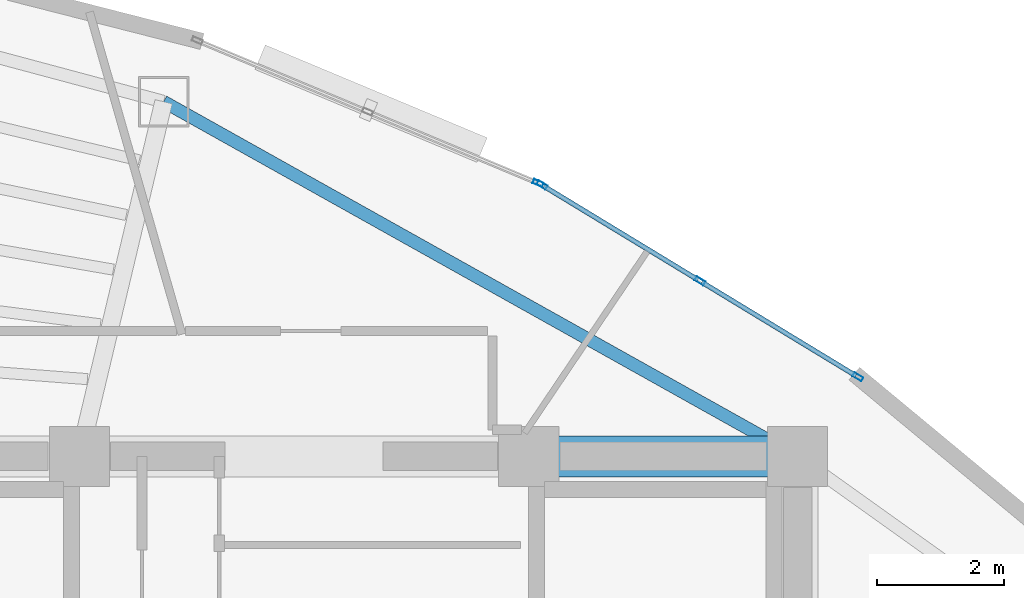
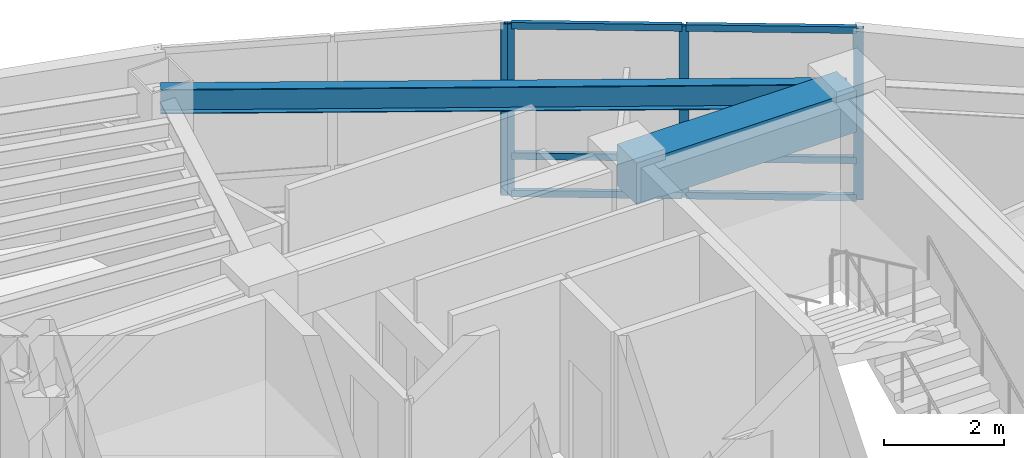
# One storey, part 10 of 15: 10 members, 2 beams, 2 elements without a shape of their own.
"""IFC4 building model written with IfcOpenShell, lengths in metres."""

from ifc_helpers import new_model, si_unit, direction, frame, origin, origin_2d, place, context, subcontext, project, spatial, rectangle, hollow_rectangle, i_section, extrude, material, layer, layer_set, material_profile, profile_set, type_object, element, aggregate, save


model = new_model("IFC4")

# Units and contexts
model_context = context("Model", 3, precision=1e-05, world=origin(), true_north=direction((0.0, 1.0)))
body_context = subcontext(model_context, "Body", "Model", "MODEL_VIEW")
ifc_project = project(units=[si_unit("LENGTHUNIT", "METRE"), si_unit("AREAUNIT", "SQUARE_METRE"), si_unit("VOLUMEUNIT", "CUBIC_METRE"), si_unit("PLANEANGLEUNIT", "RADIAN"), si_unit("MASSUNIT", "GRAM", prefix="KILO")], contexts=[model_context])

# Site, building, storey
site_placement = place(None, origin())
site = spatial("IfcSite", under=ifc_project, at=site_placement, CompositionType="ELEMENT")
building_placement = place(site_placement, origin())
building = spatial("IfcBuilding", under=site, at=building_placement, Name="Menara Vayukalpa", CompositionType="ELEMENT")
storey_placement = place(building_placement, frame((0.0, 0.0, 288.06005859375)))
storey = spatial("IfcBuildingStorey", under=building, at=storey_placement, Name="L73", CompositionType="ELEMENT", Elevation=288.06005859375)

# Beams
ifc_material_1 = material(Name="Concrete C60/75", Category="concrete")
ifc_material_profile_1 = material_profile(ifc_material_1, rectangle(XDim=0.64990234375, YDim=0.85009765625, at=origin_2d()), Name="RC 650x850")
ifc_profile_set_1 = profile_set([ifc_material_profile_1], Name="Concrete C60/75")
beam_type_1 = type_object("IfcBeamType", Name="BM-CB1", PredefinedType="BEAM", material=ifc_profile_set_1)
beam_1_placement = place(storey_placement, frame((29.14990234375, 26.800048828125, 3.074951171875), z_axis=(1.0, 0.0, 0.0), x_axis=(0.0, 1.0, 0.0)))
element("IfcBeam", 1, at=beam_1_placement, inside=storey, type_object=beam_type_1, Name="L73 Core Tie Beam CBR6", PredefinedType="BEAM", context=body_context, shape_type="SweptSolid", body=[
    extrude(rectangle(XDim=0.64990234375, YDim=0.85009765625, at=origin_2d()), origin(), (0.0, 0.0, 1.0), 4.25),
])
ifc_material_2 = material(Name="Steel S355", Category="steel")
ifc_material_profile_2 = material_profile(ifc_material_2, i_section(OverallWidth=0.199951171875, OverallDepth=0.5, WebThickness=0.010009765625, FlangeThickness=0.01611328125, at=origin_2d()), Name="WF 500x200x10x16")
ifc_profile_set_2 = profile_set([ifc_material_profile_2], Name="Steel S355")
beam_type_2 = type_object("IfcBeamType", Name="BM-SP3", PredefinedType="SPANDREL", material=ifc_profile_set_2)
beam_2_placement = place(storey_placement, frame((33.39990234375, 26.800048828125, 3.25), z_axis=(-0.87270577288, 0.48824648896, 0.0), x_axis=(-0.48824648896, -0.87270577288, 0.0)))
element("IfcBeam", 2, at=beam_2_placement, inside=storey, type_object=beam_type_2, Name="L73 Perimeter Spandrel Beam SP02", PredefinedType="SPANDREL", context=body_context, shape_type="SweptSolid", body=[
    extrude(i_section(OverallWidth=0.199951171875, OverallDepth=0.5, WebThickness=0.010009765625, FlangeThickness=0.01611328125, at=origin_2d()), origin(), (0.0, 0.0, 1.0), 11.479248046875),
])

# Curtain wall, members
ifc_material_3 = material(Name="Anodised Terracotta Aluminium Alloy 6063-T6", Category="masonry")
ifc_layer = layer(ifc_material_3, 0.1650390625)
ifc_layer_set = layer_set([ifc_layer], Name="Anodised Terracotta Aluminium Alloy 6063-T6")
curtain_wall_type = type_object("IfcCurtainWallType", Name="CW-CW6", PredefinedType="USERDEFINED", material=ifc_layer_set)
curtain_wall_1_placement = place(storey_placement, origin())
curtain_wall_1 = element("IfcCurtainWall", 3, at=curtain_wall_1_placement, inside=storey, type_object=curtain_wall_type, Name="L73 Observation and Executive Curtain Wall CW6 04", ObjectType="UNITISED", PredefinedType="USERDEFINED")
ifc_material_4 = material(Name="Anodised Terracotta Aluminium Alloy 6063-T6", Category="masonry")
ifc_material_profile_3 = material_profile(ifc_material_4, hollow_rectangle(XDim=0.070068359375, YDim=0.1650390625, WallThickness=0.00390625, at=origin_2d()), Name="ALU 70x165x4")
ifc_profile_set_3 = profile_set([ifc_material_profile_3], Name="Anodised Terracotta Aluminium Alloy 6063-T6")
member_type_1 = type_object("IfcMemberType", Name="CWM-CW6", PredefinedType="MULLION", material=ifc_profile_set_3)
member_1_placement = place(storey_placement, frame((34.35009765625, 28.056396484375, 0.0), z_axis=(0.0, 0.0, 1.0), x_axis=(-0.519175574558, -0.854667609532, 0.0)))
member_1 = element("IfcMember", 4, at=member_1_placement, type_object=member_type_1, Name="CW6 mullion 1", PredefinedType="MULLION", context=body_context, shape_type="SweptSolid", body=[
    extrude(hollow_rectangle(XDim=0.070068359375, YDim=0.1650390625, WallThickness=0.00390625, at=origin_2d()), origin(), (0.0, 0.0, 1.0), 3.5),
])
member_2_placement = place(storey_placement, frame((31.85546875, 29.57177734375, 0.0), z_axis=(0.0, 0.0, 1.0), x_axis=(-0.519175574558, -0.854667609532, 0.0)))
member_2 = element("IfcMember", 5, at=member_2_placement, type_object=member_type_1, Name="CW6 mullion 2", PredefinedType="MULLION", context=body_context, shape_type="SweptSolid", body=[
    extrude(hollow_rectangle(XDim=0.070068359375, YDim=0.1650390625, WallThickness=0.00390625, at=origin_2d()), origin(), (0.0, 0.0, 1.0), 3.5),
])
member_3_placement = place(storey_placement, frame((29.36083984375, 31.087158203125, 0.0), z_axis=(0.0, 0.0, 1.0), x_axis=(-0.519175574558, -0.854667609532, 0.0)))
member_3 = element("IfcMember", 6, at=member_3_placement, type_object=member_type_1, Name="CW6 mullion 3", PredefinedType="MULLION", context=body_context, shape_type="SweptSolid", body=[
    extrude(hollow_rectangle(XDim=0.070068359375, YDim=0.1650390625, WallThickness=0.00390625, at=origin_2d()), origin(), (0.0, 0.0, 1.0), 3.5),
])

# Curtain wall, member
curtain_wall_2_placement = place(storey_placement, origin())
curtain_wall_2 = element("IfcCurtainWall", 7, at=curtain_wall_2_placement, inside=storey, type_object=curtain_wall_type, Name="L73 Observation and Executive Curtain Wall CW6 05", ObjectType="UNITISED", PredefinedType="USERDEFINED")
member_4_placement = place(storey_placement, frame((29.298828125, 31.118896484375, 0.0), z_axis=(0.0, 0.0, 1.0), x_axis=(-0.385899911703, -0.922540653927, 0.0)))
member_4 = element("IfcMember", 8, at=member_4_placement, type_object=member_type_1, Name="CW6 mullion 1", PredefinedType="MULLION", context=body_context, shape_type="SweptSolid", body=[
    extrude(hollow_rectangle(XDim=0.070068359375, YDim=0.1650390625, WallThickness=0.00390625, at=origin_2d()), origin(), (0.0, 0.0, 1.0), 3.5),
])
aggregate(curtain_wall_2, [member_4])

# Member
ifc_material_5 = material(Name="Anodised Terracotta Aluminium Alloy 6063-T6", Category="masonry")
ifc_material_profile_4 = material_profile(ifc_material_5, hollow_rectangle(XDim=0.074951171875, YDim=0.135009765625, WallThickness=0.00390625, at=origin_2d()), Name="ALU 75x135x4")
ifc_profile_set_4 = profile_set([ifc_material_profile_4], Name="Anodised Terracotta Aluminium Alloy 6063-T6")
member_type_2 = type_object("IfcMemberType", Name="CWT-CW6", PredefinedType="USERDEFINED", material=ifc_profile_set_4)
member_5_placement = place(storey_placement, frame((34.320068359375, 28.07470703125, 0.037353515625), z_axis=(-0.854674800659, 0.519163736328, 0.0), x_axis=(-0.519163736328, -0.85467480066, 0.0)))
member_5 = element("IfcMember", 9, at=member_5_placement, type_object=member_type_2, Name="CW6 transom 1.1", ObjectType="TRANSOM", PredefinedType="USERDEFINED", context=body_context, shape_type="SweptSolid", body=[
    extrude(hollow_rectangle(XDim=0.074951171875, YDim=0.135009765625, WallThickness=0.00390625, at=origin_2d()), origin(), (0.0, 0.0, 1.0), 2.848876953125),
])

member_6_placement = place(storey_placement, frame((34.320068359375, 28.07470703125, 0.800048828125), z_axis=(-0.854674800659, 0.519163736328, 0.0), x_axis=(-0.519163736328, -0.85467480066, 0.0)))
member_6 = element("IfcMember", 10, at=member_6_placement, type_object=member_type_2, Name="CW6 transom 1.2", ObjectType="TRANSOM", PredefinedType="USERDEFINED", context=body_context, shape_type="SweptSolid", body=[
    extrude(hollow_rectangle(XDim=0.074951171875, YDim=0.135009765625, WallThickness=0.00390625, at=origin_2d()), origin(), (0.0, 0.0, 1.0), 2.848876953125),
])

member_7_placement = place(storey_placement, frame((34.320068359375, 28.07470703125, 3.46240234375), z_axis=(-0.854674800659, 0.519163736328, 0.0), x_axis=(-0.519163736328, -0.85467480066, 0.0)))
member_7 = element("IfcMember", 11, at=member_7_placement, type_object=member_type_2, Name="CW6 transom 1.3", ObjectType="TRANSOM", PredefinedType="USERDEFINED", context=body_context, shape_type="SweptSolid", body=[
    extrude(hollow_rectangle(XDim=0.074951171875, YDim=0.135009765625, WallThickness=0.00390625, at=origin_2d()), origin(), (0.0, 0.0, 1.0), 2.848876953125),
])

member_8_placement = place(storey_placement, frame((31.825439453125, 29.590087890625, 0.037353515625), z_axis=(-0.854689729536, 0.519139158825, 0.0), x_axis=(-0.519139158825, -0.854689729536, 0.0)))
member_8 = element("IfcMember", 12, at=member_8_placement, type_object=member_type_2, Name="CW6 transom 2.1", ObjectType="TRANSOM", PredefinedType="USERDEFINED", context=body_context, shape_type="SweptSolid", body=[
    extrude(hollow_rectangle(XDim=0.074951171875, YDim=0.135009765625, WallThickness=0.00390625, at=origin_2d()), origin(), (0.0, 0.0, 1.0), 2.848388671875),
])

member_9_placement = place(storey_placement, frame((31.825439453125, 29.590087890625, 0.800048828125), z_axis=(-0.854689729536, 0.519139158825, 0.0), x_axis=(-0.519139158825, -0.854689729536, 0.0)))
member_9 = element("IfcMember", 13, at=member_9_placement, type_object=member_type_2, Name="CW6 transom 2.2", ObjectType="TRANSOM", PredefinedType="USERDEFINED", context=body_context, shape_type="SweptSolid", body=[
    extrude(hollow_rectangle(XDim=0.074951171875, YDim=0.135009765625, WallThickness=0.00390625, at=origin_2d()), origin(), (0.0, 0.0, 1.0), 2.848388671875),
])

member_10_placement = place(storey_placement, frame((31.825439453125, 29.590087890625, 3.46240234375), z_axis=(-0.854689729536, 0.519139158825, 0.0), x_axis=(-0.519139158825, -0.854689729536, 0.0)))
member_10 = element("IfcMember", 14, at=member_10_placement, type_object=member_type_2, Name="CW6 transom 2.3", ObjectType="TRANSOM", PredefinedType="USERDEFINED", context=body_context, shape_type="SweptSolid", body=[
    extrude(hollow_rectangle(XDim=0.074951171875, YDim=0.135009765625, WallThickness=0.00390625, at=origin_2d()), origin(), (0.0, 0.0, 1.0), 2.848388671875),
])

aggregate(curtain_wall_1, [member_1, member_2, member_3, member_5, member_6, member_7, member_8, member_9, member_10])

save(model, "model.ifc")
